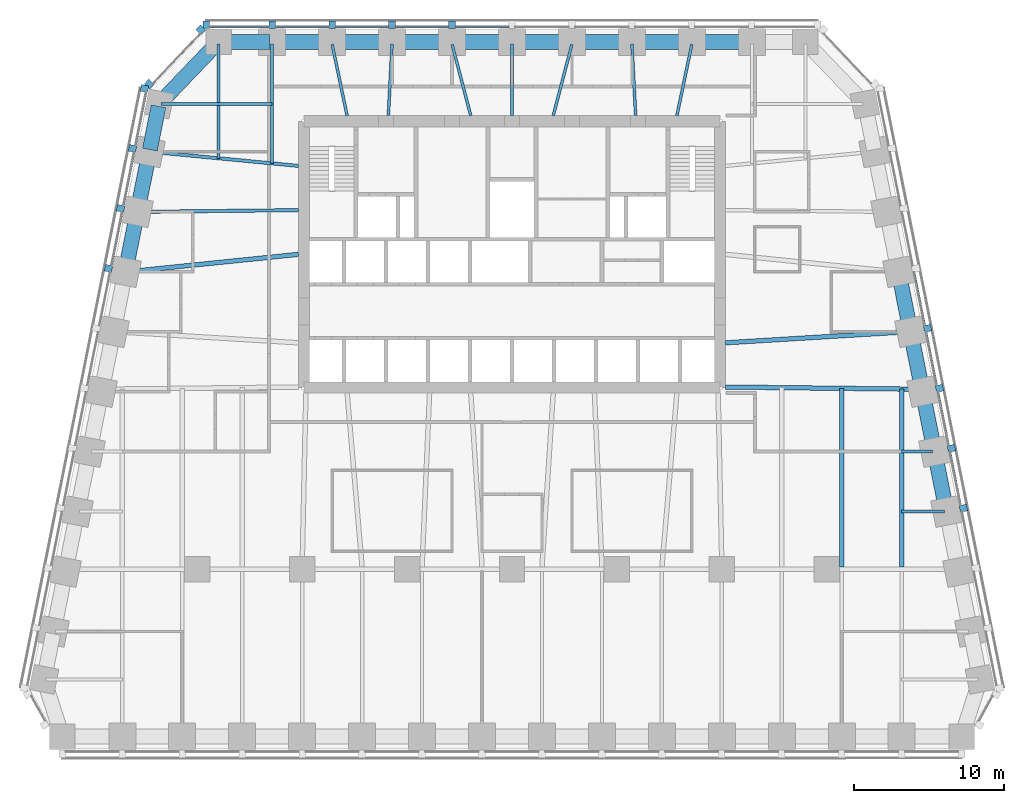
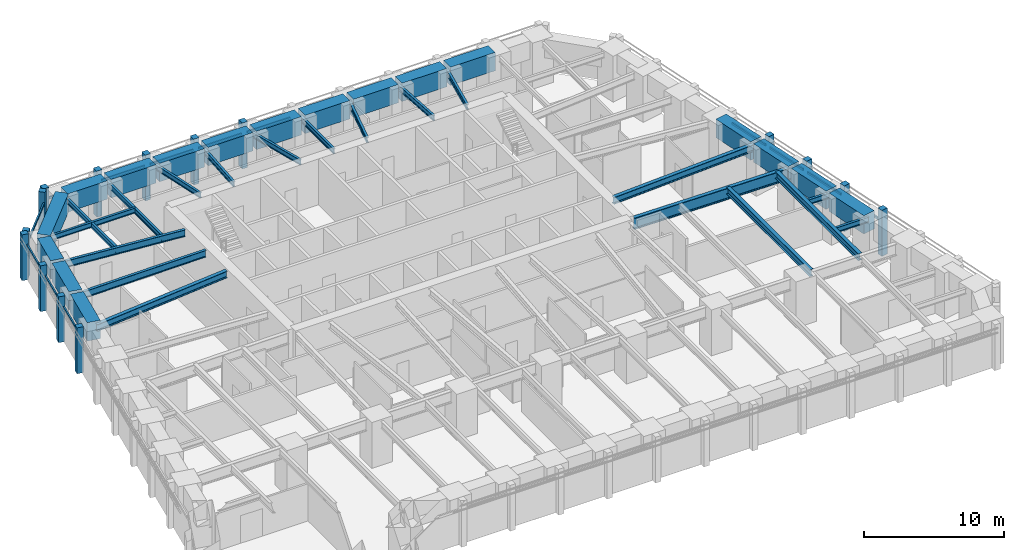
# One storey, part 3 of 10: 36 beams, 28 members, 4 elements without a shape of their own.
"""IFC4 building model written with IfcOpenShell, lengths in metres."""

from ifc_helpers import new_model, si_unit, direction, frame, origin, origin_2d, place, context, subcontext, project, spatial, rectangle, i_section, extrude, material, material_profile, profile_set, type_object, element, aggregate, save


model = new_model("IFC4")

# Units and contexts
model_context = context("Model", 3, precision=1e-05, world=origin(), true_north=direction((0.0, 1.0)))
body_context = subcontext(model_context, "Body", "Model", "MODEL_VIEW")
ifc_project = project(units=[si_unit("LENGTHUNIT", "METRE"), si_unit("AREAUNIT", "SQUARE_METRE"), si_unit("VOLUMEUNIT", "CUBIC_METRE"), si_unit("PLANEANGLEUNIT", "RADIAN"), si_unit("MASSUNIT", "GRAM", prefix="KILO")], contexts=[model_context])

# Site, building, storey
site_placement = place(None, origin())
site = spatial("IfcSite", under=ifc_project, at=site_placement, CompositionType="ELEMENT")
building_placement = place(site_placement, origin())
building = spatial("IfcBuilding", under=site, at=building_placement, Name="Isbrekke Arena Tower", CompositionType="ELEMENT")
storey_placement = place(building_placement, frame((0.0, 0.0, 115.0)))
storey = spatial("IfcBuildingStorey", under=building, at=storey_placement, Name="L25", CompositionType="ELEMENT", Elevation=115.0)

# Beams
ifc_material_1 = material(Name="Steel S355", Category="steel")
ifc_material_profile_1 = material_profile(ifc_material_1, i_section(OverallWidth=0.219970703125, OverallDepth=0.60009765625, WebThickness=0.011962890625, FlangeThickness=0.01904296875, FilletRadius=0.02392578125, at=origin_2d()), Name="IPE 600")
ifc_profile_set_1 = profile_set([ifc_material_profile_1], Name="Steel S355")
beam_type_1 = type_object("IfcBeamType", Name="B1 IPE 600", PredefinedType="BEAM", material=ifc_profile_set_1)
beam_1_placement = place(storey_placement, frame((-24.030517578125, 21.837158203125, 3.550048828125), z_axis=(0.995439798606, -0.095391862082, 0.0), x_axis=(0.095391862082, 0.995439798606, 0.0)))
element("IfcBeam", 1, at=beam_1_placement, inside=storey, type_object=beam_type_1, Name="B1 beam E-W02 L25", PredefinedType="BEAM", context=body_context, shape_type="SweptSolid", body=[
    extrude(i_section(OverallWidth=0.219970703125, OverallDepth=0.60009765625, WebThickness=0.011962890625, FlangeThickness=0.01904296875, FilletRadius=0.02392578125, at=origin_2d()), origin(), (0.0, 0.0, 1.0), 9.825439453125),
])
beam_2_placement = place(storey_placement, frame((-24.83984375, 17.838134765625, 3.550048828125), z_axis=(0.999944260169, 0.010558245831, 0.0), x_axis=(-0.010558245831, 0.999944260169, 0.0)))
element("IfcBeam", 2, at=beam_2_placement, inside=storey, type_object=beam_type_1, Name="B1 beam E-W03 L25", PredefinedType="BEAM", context=body_context, shape_type="SweptSolid", body=[
    extrude(i_section(OverallWidth=0.219970703125, OverallDepth=0.60009765625, WebThickness=0.011962890625, FlangeThickness=0.01904296875, FilletRadius=0.02392578125, at=origin_2d()), origin(), (0.0, 0.0, 1.0), 10.59033203125),
])
ifc_material_2 = material(Name="Steel S355", Category="steel")
ifc_material_profile_2 = material_profile(ifc_material_2, i_section(OverallWidth=0.18994140625, OverallDepth=0.449951171875, WebThickness=0.009521484375, FlangeThickness=0.0146484375, FilletRadius=0.02099609375, at=origin_2d()), Name="IPE 450")
ifc_profile_set_2 = profile_set([ifc_material_profile_2], Name="Steel S355")
beam_type_2 = type_object("IfcBeamType", Name="B2 IPE 450", PredefinedType="BEAM", material=ifc_profile_set_2)
beam_3_placement = place(storey_placement, frame((28.841064453125, -2.161865234375, 3.625), z_axis=(-1.0, 0.0, 0.0), x_axis=(0.0, -1.0, 0.0)))
element("IfcBeam", 3, at=beam_3_placement, inside=storey, type_object=beam_type_2, Name="B2 beam E-E04 L25", PredefinedType="BEAM", context=body_context, shape_type="SweptSolid", body=[
    extrude(i_section(OverallWidth=0.18994140625, OverallDepth=0.449951171875, WebThickness=0.009521484375, FlangeThickness=0.0146484375, FilletRadius=0.02099609375, at=origin_2d()), origin(), (0.0, 0.0, 1.0), 2.841064453125),
])
beam_4_placement = place(storey_placement, frame((28.041015625, 1.838134765625, 3.625), z_axis=(-1.0, 0.0, 0.0), x_axis=(0.0, -1.0, 0.0)))
element("IfcBeam", 4, at=beam_4_placement, inside=storey, type_object=beam_type_2, Name="B2 beam E-E05 L25", PredefinedType="BEAM", context=body_context, shape_type="SweptSolid", body=[
    extrude(i_section(OverallWidth=0.18994140625, OverallDepth=0.449951171875, WebThickness=0.009521484375, FlangeThickness=0.0146484375, FilletRadius=0.02099609375, at=origin_2d()), origin(), (0.0, 0.0, 1.0), 2.041015625),
])
beam_5_placement = place(storey_placement, frame((-23.40283203125, 25.029296875, 3.625), z_axis=(1.0, 0.0, 0.0), x_axis=(0.0, 1.0, 0.0)))
element("IfcBeam", 5, at=beam_5_placement, inside=storey, type_object=beam_type_2, Name="B2 beam E-W01 L25", PredefinedType="BEAM", context=body_context, shape_type="SweptSolid", body=[
    extrude(i_section(OverallWidth=0.18994140625, OverallDepth=0.449951171875, WebThickness=0.009521484375, FlangeThickness=0.0146484375, FilletRadius=0.02099609375, at=origin_2d()), origin(), (0.0, 0.0, 1.0), 7.40283203125),
])
ifc_material_3 = material(Name="Steel S355", Category="steel")
ifc_material_profile_3 = material_profile(ifc_material_3, i_section(OverallWidth=0.18994140625, OverallDepth=0.449951171875, WebThickness=0.009521484375, FlangeThickness=0.0146484375, FilletRadius=0.02099609375, at=origin_2d()), Name="IPE 450")
ifc_profile_set_3 = profile_set([ifc_material_profile_3], Name="Steel S355")
beam_type_3 = type_object("IfcBeamType", Name="B3 IPE 450", PredefinedType="BEAM", material=ifc_profile_set_3)
beam_6_placement = place(storey_placement, frame((-16.0, 29.02490234375, 3.625), z_axis=(0.0, -1.0, 0.0), x_axis=(1.0, 0.0, 0.0)))
element("IfcBeam", 6, at=beam_6_placement, inside=storey, type_object=beam_type_3, Name="B3 beam N-N10 L25", PredefinedType="BEAM", context=body_context, shape_type="SweptSolid", body=[
    extrude(i_section(OverallWidth=0.18994140625, OverallDepth=0.449951171875, WebThickness=0.009521484375, FlangeThickness=0.0146484375, FilletRadius=0.02099609375, at=origin_2d()), origin(), (0.0, 0.0, 1.0), 7.957275390625),
])
beam_7_placement = place(storey_placement, frame((-19.574951171875, 29.02490234375, 3.625), z_axis=(0.0, -1.0, 0.0), x_axis=(1.0, 0.0, 0.0)))
element("IfcBeam", 7, at=beam_7_placement, inside=storey, type_object=beam_type_3, Name="B3 beam N-N11 L25", PredefinedType="BEAM", context=body_context, shape_type="SweptSolid", body=[
    extrude(i_section(OverallWidth=0.18994140625, OverallDepth=0.449951171875, WebThickness=0.009521484375, FlangeThickness=0.0146484375, FilletRadius=0.02099609375, at=origin_2d()), origin(), (0.0, 0.0, 1.0), 7.61474609375),
])
beam_8_placement = place(storey_placement, frame((11.99609375, 29.005859375, 3.625), z_axis=(-0.20499748459, -0.978762499952, 0.0), x_axis=(0.978762499952, -0.20499748459, 0.0)))
element("IfcBeam", 8, at=beam_8_placement, inside=storey, type_object=beam_type_3, Name="B3 beam N-N03 L25", PredefinedType="BEAM", context=body_context, shape_type="SweptSolid", body=[
    extrude(i_section(OverallWidth=0.18994140625, OverallDepth=0.449951171875, WebThickness=0.009521484375, FlangeThickness=0.0146484375, FilletRadius=0.02099609375, at=origin_2d()), origin(), (0.0, 0.0, 1.0), 4.859130859375),
])
beam_9_placement = place(storey_placement, frame((8.000244140625, 29.02001953125, 3.625), z_axis=(0.052287879538, -0.998632053187, 0.0), x_axis=(0.998632053187, 0.052287879538, 0.0)))
element("IfcBeam", 9, at=beam_9_placement, inside=storey, type_object=beam_type_3, Name="B3 beam N-N04 L25", PredefinedType="BEAM", context=body_context, shape_type="SweptSolid", body=[
    extrude(i_section(OverallWidth=0.18994140625, OverallDepth=0.449951171875, WebThickness=0.009521484375, FlangeThickness=0.0146484375, FilletRadius=0.02099609375, at=origin_2d()), origin(), (0.0, 0.0, 1.0), 4.776611328125),
])
beam_10_placement = place(storey_placement, frame((3.993896484375, 29.001708984375, 3.625), z_axis=(-0.253245319824, -0.967402092197, 0.0), x_axis=(0.967402092197, -0.253245319824, 0.0)))
element("IfcBeam", 10, at=beam_10_placement, inside=storey, type_object=beam_type_3, Name="B3 beam N-N05 L25", PredefinedType="BEAM", context=body_context, shape_type="SweptSolid", body=[
    extrude(i_section(OverallWidth=0.18994140625, OverallDepth=0.449951171875, WebThickness=0.009521484375, FlangeThickness=0.0146484375, FilletRadius=0.02099609375, at=origin_2d()), origin(), (0.0, 0.0, 1.0), 4.911865234375),
])
beam_11_placement = place(storey_placement, frame((0.0, 29.02490234375, 3.625), z_axis=(0.0, -1.0, 0.0), x_axis=(1.0, 0.0, 0.0)))
element("IfcBeam", 11, at=beam_11_placement, inside=storey, type_object=beam_type_3, Name="B3 beam N-N06 L25", PredefinedType="BEAM", context=body_context, shape_type="SweptSolid", body=[
    extrude(i_section(OverallWidth=0.18994140625, OverallDepth=0.449951171875, WebThickness=0.009521484375, FlangeThickness=0.0146484375, FilletRadius=0.02099609375, at=origin_2d()), origin(), (0.0, 0.0, 1.0), 4.77490234375),
])
beam_12_placement = place(storey_placement, frame((-3.993896484375, 29.001708984375, 3.625), z_axis=(0.253245319824, -0.967402092197, 0.0), x_axis=(0.967402092197, 0.253245319824, 0.0)))
element("IfcBeam", 12, at=beam_12_placement, inside=storey, type_object=beam_type_3, Name="B3 beam N-N07 L25", PredefinedType="BEAM", context=body_context, shape_type="SweptSolid", body=[
    extrude(i_section(OverallWidth=0.18994140625, OverallDepth=0.449951171875, WebThickness=0.009521484375, FlangeThickness=0.0146484375, FilletRadius=0.02099609375, at=origin_2d()), origin(), (0.0, 0.0, 1.0), 4.911865234375),
])
beam_13_placement = place(storey_placement, frame((-8.000244140625, 29.02001953125, 3.625), z_axis=(-0.052287879538, -0.998632053187, 0.0), x_axis=(0.998632053187, -0.052287879538, 0.0)))
element("IfcBeam", 13, at=beam_13_placement, inside=storey, type_object=beam_type_3, Name="B3 beam N-N08 L25", PredefinedType="BEAM", context=body_context, shape_type="SweptSolid", body=[
    extrude(i_section(OverallWidth=0.18994140625, OverallDepth=0.449951171875, WebThickness=0.009521484375, FlangeThickness=0.0146484375, FilletRadius=0.02099609375, at=origin_2d()), origin(), (0.0, 0.0, 1.0), 4.776611328125),
])
beam_14_placement = place(storey_placement, frame((-11.99609375, 29.005859375, 3.625), z_axis=(0.20499748459, -0.978762499952, 0.0), x_axis=(0.978762499952, 0.20499748459, 0.0)))
element("IfcBeam", 14, at=beam_14_placement, inside=storey, type_object=beam_type_3, Name="B3 beam N-N09 L25", PredefinedType="BEAM", context=body_context, shape_type="SweptSolid", body=[
    extrude(i_section(OverallWidth=0.18994140625, OverallDepth=0.449951171875, WebThickness=0.009521484375, FlangeThickness=0.0146484375, FilletRadius=0.02099609375, at=origin_2d()), origin(), (0.0, 0.0, 1.0), 4.859130859375),
])
ifc_material_4 = material(Name="Steel S355", Category="steel")
ifc_material_profile_4 = material_profile(ifc_material_4, i_section(OverallWidth=0.300048828125, OverallDepth=0.60009765625, WebThickness=0.015380859375, FlangeThickness=0.030029296875, FilletRadius=0.027099609375, at=origin_2d()), Name="HEB 600")
ifc_profile_set_4 = profile_set([ifc_material_profile_4], Name="Steel S355")
beam_type_4 = type_object("IfcBeamType", Name="B7 HEB 600", PredefinedType="BEAM", material=ifc_profile_set_4)
beam_15_placement = place(storey_placement, frame((22.0, -5.84912109375, 3.550048828125), z_axis=(0.0, 1.0, 0.0), x_axis=(-1.0, 0.0, 0.0)))
element("IfcBeam", 15, at=beam_15_placement, inside=storey, type_object=beam_type_4, Name="B7 beam C-M13 L25", PredefinedType="BEAM", context=body_context, shape_type="SweptSolid", body=[
    extrude(i_section(OverallWidth=0.300048828125, OverallDepth=0.60009765625, WebThickness=0.015380859375, FlangeThickness=0.030029296875, FilletRadius=0.027099609375, at=origin_2d()), origin(), (0.0, 0.0, 1.0), 11.91064453125),
])
beam_16_placement = place(storey_placement, frame((26.0, -5.84912109375, 3.550048828125), z_axis=(0.0, 1.0, 0.0), x_axis=(-1.0, 0.0, 0.0)))
element("IfcBeam", 16, at=beam_16_placement, inside=storey, type_object=beam_type_4, Name="B7 beam C-M14 L25", PredefinedType="BEAM", context=body_context, shape_type="SweptSolid", body=[
    extrude(i_section(OverallWidth=0.300048828125, OverallDepth=0.60009765625, WebThickness=0.015380859375, FlangeThickness=0.030029296875, FilletRadius=0.027099609375, at=origin_2d()), origin(), (0.0, 0.0, 1.0), 11.864990234375),
])
beam_17_placement = place(storey_placement, frame((26.431884765625, 9.837646484375, 3.550048828125), z_axis=(-0.998172191876, -0.060434057993, 0.0), x_axis=(0.060434057993, -0.998172191876, 0.0)))
element("IfcBeam", 17, at=beam_17_placement, inside=storey, type_object=beam_type_4, Name="B7 beam E-E07 L25", PredefinedType="BEAM", context=body_context, shape_type="SweptSolid", body=[
    extrude(i_section(OverallWidth=0.300048828125, OverallDepth=0.60009765625, WebThickness=0.015380859375, FlangeThickness=0.030029296875, FilletRadius=0.027099609375, at=origin_2d()), origin(), (0.0, 0.0, 1.0), 12.2041015625),
])
beam_18_placement = place(storey_placement, frame((-25.6259765625, 13.83984375, 3.550048828125), z_axis=(0.994839949319, 0.10145676537, 0.0), x_axis=(-0.10145676537, 0.994839949319, 0.0)))
element("IfcBeam", 18, at=beam_18_placement, inside=storey, type_object=beam_type_4, Name="B7 beam E-W04 L25", PredefinedType="BEAM", context=body_context, shape_type="SweptSolid", body=[
    extrude(i_section(OverallWidth=0.300048828125, OverallDepth=0.60009765625, WebThickness=0.015380859375, FlangeThickness=0.030029296875, FilletRadius=0.027099609375, at=origin_2d()), origin(), (0.0, 0.0, 1.0), 11.43505859375),
])

# Curtain wall, members
ifc_material_5 = material(Name="Glazed aluminium curtain wall", Category="aluminium")
curtain_wall_type = type_object("IfcCurtainWallType", Name="CWM TOWER CURTAIN WALL MID ZONE", PredefinedType="USERDEFINED", material=ifc_material_5)
curtain_wall_1_placement = place(storey_placement, origin())
curtain_wall_1 = element("IfcCurtainWall", 19, at=curtain_wall_1_placement, inside=storey, type_object=curtain_wall_type, Name="CWM curtain wall L25-E", ObjectType="TOWER CURTAIN WALL MID ZONE", PredefinedType="USERDEFINED")
ifc_material_6 = material(Name="Aluminium mullion, pale brick slip cladding", Category="masonry")
ifc_material_profile_5 = material_profile(ifc_material_6, rectangle(XDim=0.449951171875, YDim=0.5, at=origin_2d()), Name="PIER 450X500")
ifc_profile_set_5 = profile_set([ifc_material_profile_5], Name="Aluminium mullion, pale brick slip cladding")
member_type_1 = type_object("IfcMemberType", Name="CWM-M PIER MULLION 450 x 500", PredefinedType="MULLION", material=ifc_profile_set_5)
member_1_placement = place(storey_placement, frame((30.11865234375, -1.936279296875, 0.0), z_axis=(0.0, 0.0, 1.0), x_axis=(-0.196116135138, 0.980580675691, 0.0)))
member_1 = element("IfcMember", 20, at=member_1_placement, type_object=member_type_1, Name="CWM-M mullion 4", PredefinedType="MULLION", context=body_context, shape_type="SweptSolid", body=[
    extrude(rectangle(XDim=0.449951171875, YDim=0.5, at=origin_2d()), origin(), (0.0, 0.0, 1.0), 4.0),
])
member_2_placement = place(storey_placement, frame((29.318603515625, 2.063720703125, 0.0), z_axis=(0.0, 0.0, 1.0), x_axis=(-0.196116135138, 0.980580675691, 0.0)))
member_2 = element("IfcMember", 21, at=member_2_placement, type_object=member_type_1, Name="CWM-M mullion 5", PredefinedType="MULLION", context=body_context, shape_type="SweptSolid", body=[
    extrude(rectangle(XDim=0.449951171875, YDim=0.5, at=origin_2d()), origin(), (0.0, 0.0, 1.0), 4.0),
])
member_3_placement = place(storey_placement, frame((28.518798828125, 6.063720703125, 0.0), z_axis=(0.0, 0.0, 1.0), x_axis=(-0.196116135138, 0.980580675691, 0.0)))
member_3 = element("IfcMember", 22, at=member_3_placement, type_object=member_type_1, Name="CWM-M mullion 6", PredefinedType="MULLION", context=body_context, shape_type="SweptSolid", body=[
    extrude(rectangle(XDim=0.449951171875, YDim=0.5, at=origin_2d()), origin(), (0.0, 0.0, 1.0), 4.0),
])
member_4_placement = place(storey_placement, frame((27.71875, 10.063720703125, 0.0), z_axis=(0.0, 0.0, 1.0), x_axis=(-0.196116135138, 0.980580675691, 0.0)))
member_4 = element("IfcMember", 23, at=member_4_placement, type_object=member_type_1, Name="CWM-M mullion 7", PredefinedType="MULLION", context=body_context, shape_type="SweptSolid", body=[
    extrude(rectangle(XDim=0.449951171875, YDim=0.5, at=origin_2d()), origin(), (0.0, 0.0, 1.0), 4.0),
])

curtain_wall_2_placement = place(storey_placement, origin())
curtain_wall_2 = element("IfcCurtainWall", 24, at=curtain_wall_2_placement, inside=storey, type_object=curtain_wall_type, Name="CWM curtain wall L25-N", ObjectType="TOWER CURTAIN WALL MID ZONE", PredefinedType="USERDEFINED")
member_5_placement = place(storey_placement, frame((-4.0, 30.324951171875, 0.0), z_axis=(0.0, 0.0, 1.0), x_axis=(-1.0, 0.0, 0.0)))
member_5 = element("IfcMember", 25, at=member_5_placement, type_object=member_type_1, Name="CWM-M mullion 7", PredefinedType="MULLION", context=body_context, shape_type="SweptSolid", body=[
    extrude(rectangle(XDim=0.449951171875, YDim=0.5, at=origin_2d()), origin(), (0.0, 0.0, 1.0), 4.0),
])
member_6_placement = place(storey_placement, frame((-8.0, 30.324951171875, 0.0), z_axis=(0.0, 0.0, 1.0), x_axis=(-1.0, 0.0, 0.0)))
member_6 = element("IfcMember", 26, at=member_6_placement, type_object=member_type_1, Name="CWM-M mullion 8", PredefinedType="MULLION", context=body_context, shape_type="SweptSolid", body=[
    extrude(rectangle(XDim=0.449951171875, YDim=0.5, at=origin_2d()), origin(), (0.0, 0.0, 1.0), 4.0),
])
member_7_placement = place(storey_placement, frame((-12.0, 30.324951171875, 0.0), z_axis=(0.0, 0.0, 1.0), x_axis=(-1.0, 0.0, 0.0)))
member_7 = element("IfcMember", 27, at=member_7_placement, type_object=member_type_1, Name="CWM-M mullion 9", PredefinedType="MULLION", context=body_context, shape_type="SweptSolid", body=[
    extrude(rectangle(XDim=0.449951171875, YDim=0.5, at=origin_2d()), origin(), (0.0, 0.0, 1.0), 4.0),
])
member_8_placement = place(storey_placement, frame((-16.0, 30.324951171875, 0.0), z_axis=(0.0, 0.0, 1.0), x_axis=(-1.0, 0.0, 0.0)))
member_8 = element("IfcMember", 28, at=member_8_placement, type_object=member_type_1, Name="CWM-M mullion 10", PredefinedType="MULLION", context=body_context, shape_type="SweptSolid", body=[
    extrude(rectangle(XDim=0.449951171875, YDim=0.5, at=origin_2d()), origin(), (0.0, 0.0, 1.0), 4.0),
])
member_9_placement = place(storey_placement, frame((-20.39990234375, 30.324951171875, 0.0), z_axis=(0.0, 0.0, 1.0), x_axis=(-1.0, 0.0, 0.0)))
member_9 = element("IfcMember", 29, at=member_9_placement, type_object=member_type_1, Name="CWM-M mullion 11", PredefinedType="MULLION", context=body_context, shape_type="SweptSolid", body=[
    extrude(rectangle(XDim=0.449951171875, YDim=0.5, at=origin_2d()), origin(), (0.0, 0.0, 1.0), 4.0),
])

curtain_wall_3_placement = place(storey_placement, origin())
curtain_wall_3 = element("IfcCurtainWall", 30, at=curtain_wall_3_placement, inside=storey, type_object=curtain_wall_type, Name="CWM curtain wall L25-NW", ObjectType="TOWER CURTAIN WALL MID ZONE", PredefinedType="USERDEFINED")
member_10_placement = place(storey_placement, frame((-20.759033203125, 29.985107421875, 0.0), z_axis=(0.0, 0.0, 1.0), x_axis=(-0.68874946192, -0.72499943359, 0.0)))
member_10 = element("IfcMember", 31, at=member_10_placement, type_object=member_type_1, Name="CWM-M mullion 1", PredefinedType="MULLION", context=body_context, shape_type="SweptSolid", body=[
    extrude(rectangle(XDim=0.449951171875, YDim=0.5, at=origin_2d()), origin(), (0.0, 0.0, 1.0), 4.0),
])
member_11_placement = place(storey_placement, frame((-24.207763671875, 26.35498046875, 0.0), z_axis=(0.0, 0.0, 1.0), x_axis=(-0.68874946192, -0.72499943359, 0.0)))
member_11 = element("IfcMember", 32, at=member_11_placement, type_object=member_type_1, Name="CWM-M mullion 2", PredefinedType="MULLION", context=body_context, shape_type="SweptSolid", body=[
    extrude(rectangle(XDim=0.449951171875, YDim=0.5, at=origin_2d()), origin(), (0.0, 0.0, 1.0), 4.0),
])

curtain_wall_4_placement = place(storey_placement, origin())
curtain_wall_4 = element("IfcCurtainWall", 33, at=curtain_wall_4_placement, inside=storey, type_object=curtain_wall_type, Name="CWM curtain wall L25-W", ObjectType="TOWER CURTAIN WALL MID ZONE", PredefinedType="USERDEFINED")
member_12_placement = place(storey_placement, frame((-24.518798828125, 26.063720703125, 0.0), z_axis=(0.0, 0.0, 1.0), x_axis=(-0.196116135138, -0.980580675691, 0.0)))
member_12 = element("IfcMember", 34, at=member_12_placement, type_object=member_type_1, Name="CWM-M mullion 1", PredefinedType="MULLION", context=body_context, shape_type="SweptSolid", body=[
    extrude(rectangle(XDim=0.449951171875, YDim=0.5, at=origin_2d()), origin(), (0.0, 0.0, 1.0), 4.0),
])
member_13_placement = place(storey_placement, frame((-25.318603515625, 22.063720703125, 0.0), z_axis=(0.0, 0.0, 1.0), x_axis=(-0.196116135138, -0.980580675691, 0.0)))
member_13 = element("IfcMember", 35, at=member_13_placement, type_object=member_type_1, Name="CWM-M mullion 2", PredefinedType="MULLION", context=body_context, shape_type="SweptSolid", body=[
    extrude(rectangle(XDim=0.449951171875, YDim=0.5, at=origin_2d()), origin(), (0.0, 0.0, 1.0), 4.0),
])
member_14_placement = place(storey_placement, frame((-26.11865234375, 18.063720703125, 0.0), z_axis=(0.0, 0.0, 1.0), x_axis=(-0.196116135138, -0.980580675691, 0.0)))
member_14 = element("IfcMember", 36, at=member_14_placement, type_object=member_type_1, Name="CWM-M mullion 3", PredefinedType="MULLION", context=body_context, shape_type="SweptSolid", body=[
    extrude(rectangle(XDim=0.449951171875, YDim=0.5, at=origin_2d()), origin(), (0.0, 0.0, 1.0), 4.0),
])
member_15_placement = place(storey_placement, frame((-26.918701171875, 14.063720703125, 0.0), z_axis=(0.0, 0.0, 1.0), x_axis=(-0.196116135138, -0.980580675691, 0.0)))
member_15 = element("IfcMember", 37, at=member_15_placement, type_object=member_type_1, Name="CWM-M mullion 4", PredefinedType="MULLION", context=body_context, shape_type="SweptSolid", body=[
    extrude(rectangle(XDim=0.449951171875, YDim=0.5, at=origin_2d()), origin(), (0.0, 0.0, 1.0), 4.0),
])

# Member
ifc_material_7 = material(Name="Aluminium transom", Category="aluminium")
ifc_material_profile_6 = material_profile(ifc_material_7, rectangle(XDim=0.1201171875, YDim=0.199951171875, at=origin_2d()), Name="TRANSOM 120X200")
ifc_profile_set_6 = profile_set([ifc_material_profile_6], Name="Aluminium transom")
member_type_2 = type_object("IfcMemberType", Name="CWM-T TRANSOM 120 x 200", PredefinedType="USERDEFINED", material=ifc_profile_set_6)
member_16_placement = place(storey_placement, frame((29.927490234375, -1.7451171875, 3.0), z_axis=(-0.196090262229, 0.980585849918, 0.0), x_axis=(-0.980585849918, -0.196090262229, 0.0)))
member_16 = element("IfcMember", 38, at=member_16_placement, type_object=member_type_2, Name="CWM-T transom 4", ObjectType="TRANSOM", PredefinedType="USERDEFINED", context=body_context, shape_type="SweptSolid", body=[
    extrude(rectangle(XDim=0.1201171875, YDim=0.199951171875, at=origin_2d()), origin(), (0.0, 0.0, 1.0), 3.62939453125),
])

member_17_placement = place(storey_placement, frame((29.12744140625, 2.2548828125, 3.0), z_axis=(-0.196090262229, 0.980585849918, 0.0), x_axis=(-0.980585849918, -0.196090262229, 0.0)))
member_17 = element("IfcMember", 39, at=member_17_placement, type_object=member_type_2, Name="CWM-T transom 5", ObjectType="TRANSOM", PredefinedType="USERDEFINED", context=body_context, shape_type="SweptSolid", body=[
    extrude(rectangle(XDim=0.1201171875, YDim=0.199951171875, at=origin_2d()), origin(), (0.0, 0.0, 1.0), 3.62939453125),
])

member_18_placement = place(storey_placement, frame((28.327392578125, 6.2548828125, 3.0), z_axis=(-0.196090262229, 0.980585849918, 0.0), x_axis=(-0.980585849918, -0.196090262229, 0.0)))
member_18 = element("IfcMember", 40, at=member_18_placement, type_object=member_type_2, Name="CWM-T transom 6", ObjectType="TRANSOM", PredefinedType="USERDEFINED", context=body_context, shape_type="SweptSolid", body=[
    extrude(rectangle(XDim=0.1201171875, YDim=0.199951171875, at=origin_2d()), origin(), (0.0, 0.0, 1.0), 3.62939453125),
])

member_19_placement = place(storey_placement, frame((27.527587890625, 10.2548828125, 3.0), z_axis=(-0.196154943734, 0.980572913173, 0.0), x_axis=(-0.980572913173, -0.196154943734, 0.0)))
member_19 = element("IfcMember", 41, at=member_19_placement, type_object=member_type_2, Name="CWM-T transom 7", ObjectType="TRANSOM", PredefinedType="USERDEFINED", context=body_context, shape_type="SweptSolid", body=[
    extrude(rectangle(XDim=0.1201171875, YDim=0.199951171875, at=origin_2d()), origin(), (0.0, 0.0, 1.0), 3.62939453125),
])

aggregate(curtain_wall_1, [member_1, member_2, member_3, member_4, member_16, member_17, member_18, member_19])

member_20_placement = place(storey_placement, frame((-0.22509765625, 30.175048828125, 3.0), z_axis=(-1.0, 0.0, 0.0), x_axis=(0.0, -1.0, 0.0)))
member_20 = element("IfcMember", 42, at=member_20_placement, type_object=member_type_2, Name="CWM-T transom 6", ObjectType="TRANSOM", PredefinedType="USERDEFINED", context=body_context, shape_type="SweptSolid", body=[
    extrude(rectangle(XDim=0.1201171875, YDim=0.199951171875, at=origin_2d()), origin(), (0.0, 0.0, 1.0), 3.5498046875),
])

member_21_placement = place(storey_placement, frame((-4.22509765625, 30.175048828125, 3.0), z_axis=(-1.0, 0.0, 0.0), x_axis=(0.0, -1.0, 0.0)))
member_21 = element("IfcMember", 43, at=member_21_placement, type_object=member_type_2, Name="CWM-T transom 7", ObjectType="TRANSOM", PredefinedType="USERDEFINED", context=body_context, shape_type="SweptSolid", body=[
    extrude(rectangle(XDim=0.1201171875, YDim=0.199951171875, at=origin_2d()), origin(), (0.0, 0.0, 1.0), 3.5498046875),
])

member_22_placement = place(storey_placement, frame((-8.22509765625, 30.175048828125, 3.0), z_axis=(-1.0, 0.0, 0.0), x_axis=(0.0, -1.0, 0.0)))
member_22 = element("IfcMember", 44, at=member_22_placement, type_object=member_type_2, Name="CWM-T transom 8", ObjectType="TRANSOM", PredefinedType="USERDEFINED", context=body_context, shape_type="SweptSolid", body=[
    extrude(rectangle(XDim=0.1201171875, YDim=0.199951171875, at=origin_2d()), origin(), (0.0, 0.0, 1.0), 3.5498046875),
])

member_23_placement = place(storey_placement, frame((-12.22509765625, 30.175048828125, 3.0), z_axis=(-1.0, 0.0, 0.0), x_axis=(0.0, -1.0, 0.0)))
member_23 = element("IfcMember", 45, at=member_23_placement, type_object=member_type_2, Name="CWM-T transom 9", ObjectType="TRANSOM", PredefinedType="USERDEFINED", context=body_context, shape_type="SweptSolid", body=[
    extrude(rectangle(XDim=0.1201171875, YDim=0.199951171875, at=origin_2d()), origin(), (0.0, 0.0, 1.0), 3.5498046875),
])

member_24_placement = place(storey_placement, frame((-16.22509765625, 30.175048828125, 3.0), z_axis=(-1.0, 0.0, 0.0), x_axis=(0.0, -1.0, 0.0)))
member_24 = element("IfcMember", 46, at=member_24_placement, type_object=member_type_2, Name="CWM-T transom 10", ObjectType="TRANSOM", PredefinedType="USERDEFINED", context=body_context, shape_type="SweptSolid", body=[
    extrude(rectangle(XDim=0.1201171875, YDim=0.199951171875, at=origin_2d()), origin(), (0.0, 0.0, 1.0), 3.949951171875),
])

aggregate(curtain_wall_2, [member_5, member_6, member_7, member_8, member_9, member_20, member_21, member_22, member_23, member_24])

member_25_placement = place(storey_placement, frame((-20.80517578125, 29.71875, 3.0), z_axis=(-0.688739606035, -0.725008796552, 0.0), x_axis=(0.725008796552, -0.688739606035, 0.0)))
member_25 = element("IfcMember", 47, at=member_25_placement, type_object=member_type_2, Name="CWM-T transom 1", ObjectType="TRANSOM", PredefinedType="USERDEFINED", context=body_context, shape_type="SweptSolid", body=[
    extrude(rectangle(XDim=0.1201171875, YDim=0.199951171875, at=origin_2d()), origin(), (0.0, 0.0, 1.0), 4.55712890625),
])

aggregate(curtain_wall_3, [member_10, member_11, member_25])

member_26_placement = place(storey_placement, frame((-24.415771484375, 25.813720703125, 3.0), z_axis=(-0.196090262229, -0.980585849918, 0.0), x_axis=(0.980585849918, -0.196090262229, 0.0)))
member_26 = element("IfcMember", 48, at=member_26_placement, type_object=member_type_2, Name="CWM-T transom 1", ObjectType="TRANSOM", PredefinedType="USERDEFINED", context=body_context, shape_type="SweptSolid", body=[
    extrude(rectangle(XDim=0.1201171875, YDim=0.199951171875, at=origin_2d()), origin(), (0.0, 0.0, 1.0), 3.62939453125),
])

member_27_placement = place(storey_placement, frame((-25.2158203125, 21.813720703125, 3.0), z_axis=(-0.196090262229, -0.980585849918, 0.0), x_axis=(0.980585849918, -0.196090262229, 0.0)))
member_27 = element("IfcMember", 49, at=member_27_placement, type_object=member_type_2, Name="CWM-T transom 2", ObjectType="TRANSOM", PredefinedType="USERDEFINED", context=body_context, shape_type="SweptSolid", body=[
    extrude(rectangle(XDim=0.1201171875, YDim=0.199951171875, at=origin_2d()), origin(), (0.0, 0.0, 1.0), 3.62939453125),
])

member_28_placement = place(storey_placement, frame((-26.015625, 17.813720703125, 3.0), z_axis=(-0.196154943734, -0.980572913173, 0.0), x_axis=(0.980572913173, -0.196154943734, 0.0)))
member_28 = element("IfcMember", 50, at=member_28_placement, type_object=member_type_2, Name="CWM-T transom 3", ObjectType="TRANSOM", PredefinedType="USERDEFINED", context=body_context, shape_type="SweptSolid", body=[
    extrude(rectangle(XDim=0.1201171875, YDim=0.199951171875, at=origin_2d()), origin(), (0.0, 0.0, 1.0), 3.62939453125),
])

aggregate(curtain_wall_4, [member_12, member_13, member_14, member_15, member_26, member_27, member_28])

# Beams
ifc_material_8 = material(Name="Steel S355", Category="steel")
ifc_material_profile_7 = material_profile(ifc_material_8, i_section(OverallWidth=0.302001953125, OverallDepth=1.008056640625, WebThickness=0.02099609375, FlangeThickness=0.0400390625, FilletRadius=0.030029296875, at=origin_2d()), Name="HEM 1000")
ifc_profile_set_7 = profile_set([ifc_material_profile_7], Name="Steel S355")
beam_type_5 = type_object("IfcBeamType", Name="G2 HEM 1000", PredefinedType="BEAM", material=ifc_profile_set_7)
beam_19_placement = place(storey_placement, frame((14.25, 6.14990234375, 3.345947265625), z_axis=(0.999934928157, -0.011407867963, 0.0), x_axis=(0.011407867963, 0.999934928157, 0.0)))
element("IfcBeam", 51, at=beam_19_placement, inside=storey, type_object=beam_type_5, Name="G2 beam G2-E L25", PredefinedType="BEAM", context=body_context, shape_type="SweptSolid", body=[
    extrude(i_section(OverallWidth=0.302001953125, OverallDepth=1.008056640625, WebThickness=0.02099609375, FlangeThickness=0.0400390625, FilletRadius=0.030029296875, at=origin_2d()), origin(), (0.0, 0.0, 1.0), 13.140380859375),
])
ifc_material_9 = material(Name="Concrete B80 (C80/95)", Category="concrete")
ifc_material_profile_8 = material_profile(ifc_material_9, rectangle(XDim=1.0, YDim=1.60009765625, at=origin_2d()), Name="RC 1000x1600")
ifc_profile_set_8 = profile_set([ifc_material_profile_8], Name="Concrete B80 (C80/95)")
beam_type_6 = type_object("IfcBeamType", Name="SB2 RC 1000 x 1600", PredefinedType="SPANDREL", material=ifc_profile_set_8)
for number, where, z_axis, x_axis, name in (
    (52, (28.961669921875, -2.0146484375, 3.199951171875), (-0.196128558387, 0.980578190959, 0.0), (-0.980578190959, -0.196128558387, 0.0), "SB2 spandrel E04-E05 L25"),
    (53, (28.16162109375, 1.9853515625, 3.199951171875), (-0.196128558387, 0.980578190959, 0.0), (-0.980578190959, -0.196128558387, 0.0), "SB2 spandrel E05-E06 L25"),
    (54, (27.361572265625, 5.9853515625, 3.199951171875), (-0.196128558387, 0.980578190959, 0.0), (-0.980578190959, -0.196128558387, 0.0), "SB2 spandrel E06-E07 L25"),
):
    element("IfcBeam", number, at=place(storey_placement, frame(where, z_axis=z_axis, x_axis=x_axis)), inside=storey, type_object=beam_type_6, Name=name, PredefinedType="SPANDREL", context=body_context, shape_type="SweptSolid", body=[
        extrude(rectangle(XDim=1.0, YDim=1.60009765625, at=origin_2d()), origin(), (0.0, 0.0, 1.0), 3.779296875),
    ])
beam_20_placement = place(storey_placement, frame((26.5615234375, 9.9853515625, 3.199951171875), z_axis=(-0.1960664412, 0.980590613169, 0.0), x_axis=(-0.980590613169, -0.1960664412, 0.0)))
element("IfcBeam", 55, at=beam_20_placement, inside=storey, type_object=beam_type_6, Name="SB2 spandrel E07-E08 L25", PredefinedType="SPANDREL", context=body_context, shape_type="SweptSolid", body=[
    extrude(rectangle(XDim=1.0, YDim=1.60009765625, at=origin_2d()), origin(), (0.0, 0.0, 1.0), 3.779052734375),
])
for number, where, z_axis, x_axis, name in (
    (56, (15.85009765625, 29.175048828125, 3.199951171875), (-1.0, 0.0, 0.0), (0.0, -1.0, 0.0), "SB2 spandrel N02-N03 L25"),
    (57, (11.85009765625, 29.175048828125, 3.199951171875), (-1.0, 0.0, 0.0), (0.0, -1.0, 0.0), "SB2 spandrel N03-N04 L25"),
    (58, (7.85009765625, 29.175048828125, 3.199951171875), (-1.0, 0.0, 0.0), (0.0, -1.0, 0.0), "SB2 spandrel N04-N05 L25"),
    (59, (3.85009765625, 29.175048828125, 3.199951171875), (-1.0, 0.0, 0.0), (0.0, -1.0, 0.0), "SB2 spandrel N05-N06 L25"),
    (60, (-0.14990234375, 29.175048828125, 3.199951171875), (-1.0, 0.0, 0.0), (0.0, -1.0, 0.0), "SB2 spandrel N06-N07 L25"),
    (61, (-4.14990234375, 29.175048828125, 3.199951171875), (-1.0, 0.0, 0.0), (0.0, -1.0, 0.0), "SB2 spandrel N07-N08 L25"),
    (62, (-8.14990234375, 29.175048828125, 3.199951171875), (-1.0, 0.0, 0.0), (0.0, -1.0, 0.0), "SB2 spandrel N08-N09 L25"),
    (63, (-12.14990234375, 29.175048828125, 3.199951171875), (-1.0, 0.0, 0.0), (0.0, -1.0, 0.0), "SB2 spandrel N09-N10 L25"),
):
    element("IfcBeam", number, at=place(storey_placement, frame(where, z_axis=z_axis, x_axis=x_axis)), inside=storey, type_object=beam_type_6, Name=name, PredefinedType="SPANDREL", context=body_context, shape_type="SweptSolid", body=[
        extrude(rectangle(XDim=1.0, YDim=1.60009765625, at=origin_2d()), origin(), (0.0, 0.0, 1.0), 3.7001953125),
    ])
beam_21_placement = place(storey_placement, frame((-16.14990234375, 29.175048828125, 3.199951171875), z_axis=(-1.0, 0.0, 0.0), x_axis=(0.0, -1.0, 0.0)))
element("IfcBeam", 64, at=beam_21_placement, inside=storey, type_object=beam_type_6, Name="SB2 spandrel N10-N11 L25", PredefinedType="SPANDREL", context=body_context, shape_type="SweptSolid", body=[
    extrude(rectangle(XDim=1.0, YDim=1.60009765625, at=origin_2d()), origin(), (0.0, 0.0, 1.0), 3.275146484375),
])
beam_22_placement = place(storey_placement, frame((-19.678955078125, 29.066650390625, 3.199951171875), z_axis=(-0.692339547635, -0.721571861134, 0.0), x_axis=(0.721571861134, -0.692339547635, 0.0)))
element("IfcBeam", 65, at=beam_22_placement, inside=storey, type_object=beam_type_6, Name="SB2 spandrel N11-W01 L25", PredefinedType="SPANDREL", context=body_context, shape_type="SweptSolid", body=[
    extrude(rectangle(XDim=1.0, YDim=1.60009765625, at=origin_2d()), origin(), (0.0, 0.0, 1.0), 5.4453125),
])
beam_23_placement = place(storey_placement, frame((-23.582275390625, 24.882080078125, 3.199951171875), z_axis=(-0.196116135138, -0.980580675691, 0.0), x_axis=(0.980580675691, -0.196116135138, 0.0)))
element("IfcBeam", 66, at=beam_23_placement, inside=storey, type_object=beam_type_6, Name="SB2 spandrel W01-W02 L25", PredefinedType="SPANDREL", context=body_context, shape_type="SweptSolid", body=[
    extrude(rectangle(XDim=1.0, YDim=1.60009765625, at=origin_2d()), origin(), (0.0, 0.0, 1.0), 2.9541015625),
])
for number, where, z_axis, x_axis, name in (
    (67, (-24.220458984375, 21.691162109375, 3.199951171875), (-0.196128558387, -0.980578190959, 0.0), (0.980578190959, -0.196128558387, 0.0), "SB2 spandrel W02-W03 L25"),
    (68, (-25.0205078125, 17.691162109375, 3.199951171875), (-0.196128558387, -0.980578190959, 0.0), (0.980578190959, -0.196128558387, 0.0), "SB2 spandrel W03-W04 L25"),
):
    element("IfcBeam", number, at=place(storey_placement, frame(where, z_axis=z_axis, x_axis=x_axis)), inside=storey, type_object=beam_type_6, Name=name, PredefinedType="SPANDREL", context=body_context, shape_type="SweptSolid", body=[
        extrude(rectangle(XDim=1.0, YDim=1.60009765625, at=origin_2d()), origin(), (0.0, 0.0, 1.0), 3.779296875),
    ])

save(model, "model.ifc")
